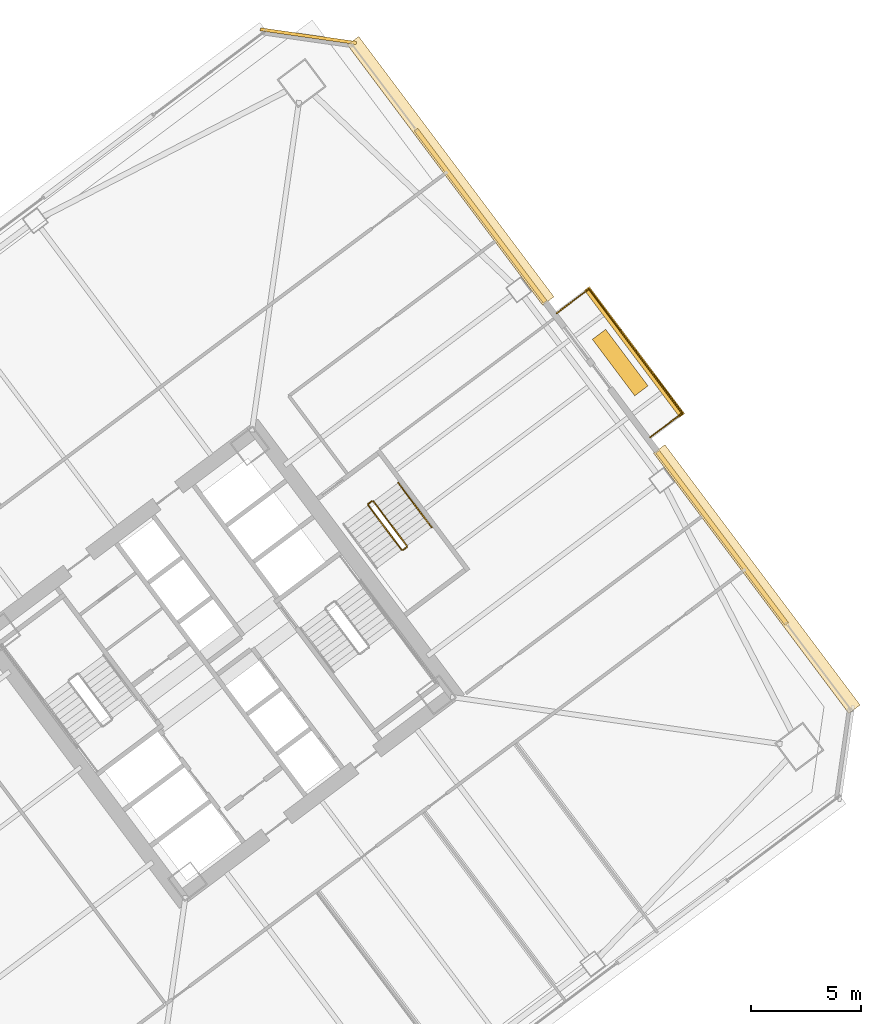
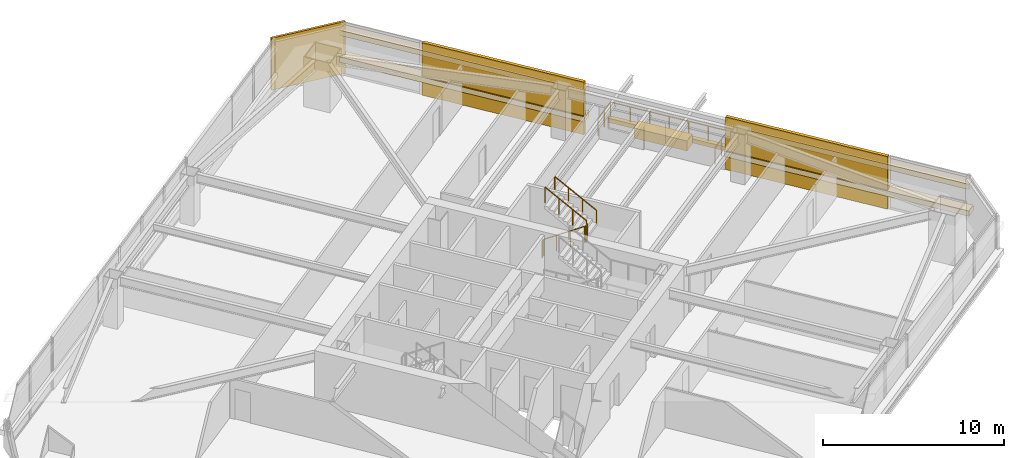
# One storey, part 47 of 47: 9 coverings, 8 railings.
"""IFC4 building model written with IfcOpenShell, lengths in metres."""

from ifc_helpers import new_model, si_unit, direction, frame, origin, origin_2d, place, context, subcontext, project, spatial, rectangle, extrude, material, layer, layer_set, type_object, element, save


model = new_model("IFC4")

# Units and contexts
model_context = context("Model", 3, precision=1e-05, world=origin(), true_north=direction((0.0, 1.0)))
body_context = subcontext(model_context, "Body", "Model", "MODEL_VIEW")
ifc_project = project(units=[si_unit("LENGTHUNIT", "METRE"), si_unit("AREAUNIT", "SQUARE_METRE"), si_unit("VOLUMEUNIT", "CUBIC_METRE"), si_unit("PLANEANGLEUNIT", "RADIAN"), si_unit("MASSUNIT", "GRAM", prefix="KILO")], contexts=[model_context])

# Site, building, storey
site_placement = place(None, origin())
site = spatial("IfcSite", under=ifc_project, at=site_placement, CompositionType="ELEMENT")
building_placement = place(site_placement, origin())
building = spatial("IfcBuilding", under=site, at=building_placement, Name="Tashvorn Skyway Center", CompositionType="ELEMENT")
storey_placement = place(building_placement, frame((0.0, 0.0, 42.35009765625)))
storey = spatial("IfcBuildingStorey", under=building, at=storey_placement, Name="L10", CompositionType="ELEMENT", Elevation=42.35009765625)

# Coverings
ifc_material_1 = material(Name="Precast concrete C40/50", Category="concrete")
ifc_layer_1 = layer(ifc_material_1, 0.199951171875)
ifc_layer_set_1 = layer_set([ifc_layer_1], Name="Precast concrete C40/50")
covering_type_1 = type_object("IfcCoveringType", Name="COV-BRACE-CLAD", PredefinedType="CLADDING", material=ifc_layer_set_1)
for number, where, z_axis, x_axis, name in (
    (1, (125.867919921875, 52.309326171875, 0.0), (0.0, 0.0, 1.0), (0.600000004945, -0.799999996291, 0.0), "Tower 2 L10 East Curtain Wall L Mega-Brace Cladding Band 1"),
    (2, (136.820068359375, 37.70654296875, 0.0), (0.0, 0.0, 1.0), (0.600000004945, -0.799999996291, 0.0), "Tower 2 L10 East Curtain Wall R Mega-Brace Cladding Band 1"),
):
    element("IfcCovering", number, at=place(storey_placement, frame(where, z_axis=z_axis, x_axis=x_axis)), inside=storey, type_object=covering_type_1, Name=name, PredefinedType="CLADDING", context=body_context, shape_type="SweptSolid", body=[
        extrude(rectangle(XDim=9.75341796875, YDim=0.199951171875, at=origin_2d()), origin(), (0.0, 0.0, 1.0), 3.550048828125),
    ])
ifc_material_2 = material(Name="Perforated ceramic-coated bronze aluminium solar screen", Category="aluminium")
ifc_layer_2 = layer(ifc_material_2, 0.85009765625)
ifc_layer_set_2 = layer_set([ifc_layer_2], Name="Perforated ceramic-coated bronze aluminium solar screen")
covering_type_2 = type_object("IfcCoveringType", Name="COV-SOLAR-BAND", PredefinedType="CLADDING", material=ifc_layer_set_2)
for number, where, z_axis, x_axis, name in (
    (3, (124.51708984375, 54.343994140625, 0.919921875), (0.0, 0.0, 1.0), (0.600000004945, -0.799999996291, 0.0), "L10 Perforated Ceramic-Metal Solar Screen Louvre Band East 1"),
    (4, (124.51708984375, 54.343994140625, 2.7197265625), (0.0, 0.0, 1.0), (0.600000004945, -0.799999996291, 0.0), "L10 Perforated Ceramic-Metal Solar Screen Louvre Band East 2"),
    (5, (138.39501953125, 35.840087890625, 0.919921875), (0.0, 0.0, 1.0), (0.600000004945, -0.799999996291, 0.0), "L10 Perforated Ceramic-Metal Solar Screen Louvre Band East 1"),
    (6, (138.39501953125, 35.840087890625, 2.7197265625), (0.0, 0.0, 1.0), (0.600000004945, -0.799999996291, 0.0), "L10 Perforated Ceramic-Metal Solar Screen Louvre Band East 2"),
):
    element("IfcCovering", number, at=place(storey_placement, frame(where, z_axis=z_axis, x_axis=x_axis)), inside=storey, type_object=covering_type_2, Name=name, PredefinedType="CLADDING", context=body_context, shape_type="SweptSolid", body=[
        extrude(rectangle(XDim=14.75, YDim=0.639892578125, at=origin_2d()), origin(), (0.0, 0.0, 1.0), 0.360107421875),
    ])
ifc_layer_3 = layer(ifc_material_1, 0.35009765625)
ifc_layer_set_3 = layer_set([ifc_layer_3], Name="Precast concrete C40/50")
covering_type_3 = type_object("IfcCoveringType", Name="COV-STONE-TRIM", PredefinedType="CLADDING", material=ifc_layer_set_3)
covering_1_placement = place(storey_placement, frame((132.847900390625, 46.135986328125, -0.16015625), z_axis=(0.0, 0.0, 1.0), x_axis=(0.600000004945, -0.799999996291, 0.0)))
element("IfcCovering", 7, at=covering_1_placement, inside=storey, type_object=covering_type_3, Name="Tower 2 L10 Spiral Terrace Terracotta Fascia", PredefinedType="CLADDING", context=body_context, shape_type="SweptSolid", body=[
    extrude(rectangle(XDim=7.199951171875, YDim=0.280029296875, at=origin_2d()), origin(), (0.0, 0.0, 1.0), 0.280029296875),
])
covering_2_placement = place(storey_placement, frame((132.199951171875, 45.64990234375, 0.0), z_axis=(0.0, 0.0, 1.0), x_axis=(0.600000004945, -0.799999996291, 0.0)))
element("IfcCovering", 8, at=covering_2_placement, inside=storey, type_object=covering_type_3, Name="Tower 2 L10 Spiral Terrace Planter", PredefinedType="CLADDING", context=body_context, shape_type="SweptSolid", body=[
    extrude(rectangle(XDim=3.199951171875, YDim=0.75, at=origin_2d()), origin(), (0.0, 0.0, 1.0), 0.679931640625),
])
covering_3_placement = place(storey_placement, frame((118.06396484375, 60.447998046875, 0.02001953125), z_axis=(0.0, 0.0, 1.0), x_axis=(0.989949494535, -0.141421350118, 0.0)))
element("IfcCovering", 9, at=covering_3_placement, inside=storey, type_object=covering_type_3, Name="Tower 2 L10 NE Mojave Limestone Corner Quoin", PredefinedType="CLADDING", context=body_context, shape_type="SweptSolid", body=[
    extrude(rectangle(XDim=4.402587890625, YDim=0.139892578125, at=origin_2d()), origin(), (0.0, 0.0, 1.0), 3.510009765625),
])

# Railings
ifc_material_3 = material(Name="Galvanized steel S355", Category="steel")
railing_type_1 = type_object("IfcRailingType", Name="RAIL-GUARD-1120", PredefinedType="GUARDRAIL", material=ifc_material_3)
railing_1_placement = place(storey_placement, frame((133.552001953125, 42.263916015625, 0.0)))
element("IfcRailing", 10, at=railing_1_placement, inside=storey, type_object=railing_type_1, Name="L10 Tower 2 Terrace Guardrail 01", PredefinedType="GUARDRAIL", context=body_context, shape_type="SweptSolid", body=[
    extrude(rectangle(XDim=0.048095703125, YDim=0.048095703125, at=origin_2d()), frame((0.0, 0.0, 1.09619140625), z_axis=(0.8, 0.6, 0.0), x_axis=(-0.6, 0.8, 0.0)), (0.0, 0.0, 1.0), 1.820068359375),
    extrude(rectangle(XDim=0.0419921875, YDim=0.0419921875, at=origin_2d()), origin(), (0.0, 0.0, 1.0), 1.072021484375),
    extrude(rectangle(XDim=0.0419921875, YDim=0.0419921875, at=origin_2d()), frame((0.72802734375, 0.5458984375, 0.0)), (0.0, 0.0, 1.0), 1.072021484375),
    extrude(rectangle(XDim=0.0419921875, YDim=0.0419921875, at=origin_2d()), frame((1.4560546875, 1.092041015625, 0.0)), (0.0, 0.0, 1.0), 1.072021484375),
])
railing_2_placement = place(storey_placement, frame((135.008056640625, 43.35595703125, 0.0)))
element("IfcRailing", 11, at=railing_2_placement, inside=storey, type_object=railing_type_1, Name="L10 Tower 2 Terrace Guardrail 02", PredefinedType="GUARDRAIL", context=body_context, shape_type="SweptSolid", body=[
    extrude(rectangle(XDim=0.048095703125, YDim=0.048095703125, at=origin_2d()), frame((0.0, 0.0, 1.09619140625), z_axis=(-0.600005548528, 0.799995838574, 0.0), x_axis=(-0.799995838574, -0.600005548528, 0.0)), (0.0, 0.0, 1.0), 7.0400390625),
    extrude(rectangle(XDim=0.0419921875, YDim=0.0419921875, at=origin_2d()), origin(), (0.0, 0.0, 1.0), 1.072021484375),
    extrude(rectangle(XDim=0.0419921875, YDim=0.0419921875, at=origin_2d()), frame((-0.7041015625, 0.938720703125, 0.0)), (0.0, 0.0, 1.0), 1.072021484375),
    extrude(rectangle(XDim=0.0419921875, YDim=0.0419921875, at=origin_2d()), frame((-1.407958984375, 1.87744140625, 0.0)), (0.0, 0.0, 1.0), 1.072021484375),
    extrude(rectangle(XDim=0.0419921875, YDim=0.0419921875, at=origin_2d()), frame((-2.112060546875, 2.81591796875, 0.0)), (0.0, 0.0, 1.0), 1.072021484375),
    extrude(rectangle(XDim=0.0419921875, YDim=0.0419921875, at=origin_2d()), frame((-2.816162109375, 3.754638671875, 0.0)), (0.0, 0.0, 1.0), 1.072021484375),
    extrude(rectangle(XDim=0.0419921875, YDim=0.0419921875, at=origin_2d()), frame((-3.52001953125, 4.693359375, 0.0)), (0.0, 0.0, 1.0), 1.072021484375),
    extrude(rectangle(XDim=0.0419921875, YDim=0.0419921875, at=origin_2d()), frame((-4.22412109375, 5.632080078125, 0.0)), (0.0, 0.0, 1.0), 1.072021484375),
])
railing_3_placement = place(storey_placement, frame((130.783935546875, 48.988037109375, 0.0)))
element("IfcRailing", 12, at=railing_3_placement, inside=storey, type_object=railing_type_1, Name="L10 Tower 2 Terrace Guardrail 03", PredefinedType="GUARDRAIL", context=body_context, shape_type="SweptSolid", body=[
    extrude(rectangle(XDim=0.048095703125, YDim=0.048095703125, at=origin_2d()), frame((0.0, 0.0, 1.09619140625), z_axis=(-0.8, -0.6, 0.0), x_axis=(0.6, -0.8, 0.0)), (0.0, 0.0, 1.0), 1.820068359375),
    extrude(rectangle(XDim=0.0419921875, YDim=0.0419921875, at=origin_2d()), origin(), (0.0, 0.0, 1.0), 1.072021484375),
    extrude(rectangle(XDim=0.0419921875, YDim=0.0419921875, at=origin_2d()), frame((-0.72802734375, -0.5458984375, 0.0)), (0.0, 0.0, 1.0), 1.072021484375),
    extrude(rectangle(XDim=0.0419921875, YDim=0.0419921875, at=origin_2d()), frame((-1.4560546875, -1.092041015625, 0.0)), (0.0, 0.0, 1.0), 1.072021484375),
])
ifc_material_4 = material(Name="Brushed stainless steel 316", Category="steel")
railing_type_2 = type_object("IfcRailingType", Name="RAIL-HAND-920", PredefinedType="HANDRAIL", material=ifc_material_4)
railing_4_placement = place(storey_placement, frame((123.64794921875, 38.18603515625, 1.952392578125)))
element("IfcRailing", 13, at=railing_4_placement, inside=storey, type_object=railing_type_2, Name="L10 ST-T2-3 stair handrail 2", PredefinedType="HANDRAIL", context=body_context, shape_type="SweptSolid", body=[
    extrude(rectangle(XDim=0.048095703125, YDim=0.048095703125, at=origin_2d()), frame((0.0, 0.0, 0.8759765625), z_axis=(-0.506768818287, 0.675664481285, 0.535409071218), x_axis=(-0.79998837352, -0.60001550166, 0.0)), (0.0, 0.0, 1.0), 2.983642578125),
    extrude(rectangle(XDim=0.0419921875, YDim=0.0419921875, at=origin_2d()), origin(), (0.0, 0.0, 1.0), 0.851806640625),
    extrude(rectangle(XDim=0.0419921875, YDim=0.0419921875, at=origin_2d()), frame((-0.50390625, 0.671875, 0.532470703125)), (0.0, 0.0, 1.0), 0.851806640625),
    extrude(rectangle(XDim=0.0419921875, YDim=0.0419921875, at=origin_2d()), frame((-1.008056640625, 1.343994140625, 1.06494140625)), (0.0, 0.0, 1.0), 0.851806640625),
    extrude(rectangle(XDim=0.0419921875, YDim=0.0419921875, at=origin_2d()), frame((-1.511962890625, 2.015869140625, 1.597412109375)), (0.0, 0.0, 1.0), 0.851806640625),
])
ifc_material_5 = material(Name="Painted galvanized steel S355", Category="steel")
railing_type_3 = type_object("IfcRailingType", Name="RAIL-STGUARD-1100", PredefinedType="GUARDRAIL", material=ifc_material_5)
railing_5_placement = place(storey_placement, frame((120.77587890625, 39.181884765625, 0.177490234375)))
element("IfcRailing", 14, at=railing_5_placement, inside=storey, type_object=railing_type_3, Name="L10 ST-T2-3 stair guard 1", PredefinedType="GUARDRAIL", context=body_context, shape_type="SweptSolid", body=[
    extrude(rectangle(XDim=0.048095703125, YDim=0.048095703125, at=origin_2d()), frame((0.0, 0.0, 1.076171875), z_axis=(0.506829628838, -0.67563646195, 0.535386868177), x_axis=(0.799941867976, 0.600077501544, 0.0)), (0.0, 0.0, 1.0), 2.983642578125),
    extrude(rectangle(XDim=0.0419921875, YDim=0.0419921875, at=origin_2d()), origin(), (0.0, 0.0, 1.0), 1.052001953125),
    extrude(rectangle(XDim=0.0419921875, YDim=0.0419921875, at=origin_2d()), frame((0.504150390625, -0.671875, 0.532470703125)), (0.0, 0.0, 1.0), 1.052001953125),
    extrude(rectangle(XDim=0.0419921875, YDim=0.0419921875, at=origin_2d()), frame((1.008056640625, -1.343994140625, 1.06494140625)), (0.0, 0.0, 1.0), 1.052001953125),
    extrude(rectangle(XDim=0.0419921875, YDim=0.0419921875, at=origin_2d()), frame((1.51220703125, -2.015869140625, 1.597412109375)), (0.0, 0.0, 1.0), 1.052001953125),
])
railing_6_placement = place(storey_placement, frame((122.35791015625, 37.156005859375, 1.77490234375)))
element("IfcRailing", 15, at=railing_6_placement, inside=storey, type_object=railing_type_3, Name="L10 ST-T2-3 stair guard 2", PredefinedType="GUARDRAIL", context=body_context, shape_type="SweptSolid", body=[
    extrude(rectangle(XDim=0.048095703125, YDim=0.048095703125, at=origin_2d()), frame((0.0, 0.0, 1.076171875), z_axis=(0.800585412921, 0.599218655098, 0.0), x_axis=(-0.599218655098, 0.800585412921, 0.0)), (0.0, 0.0, 1.0), 0.199951171875),
    extrude(rectangle(XDim=0.0419921875, YDim=0.0419921875, at=origin_2d()), origin(), (0.0, 0.0, 1.0), 1.052001953125),
    extrude(rectangle(XDim=0.0419921875, YDim=0.0419921875, at=origin_2d()), frame((0.16015625, 0.119873046875, 0.0)), (0.0, 0.0, 1.0), 1.052001953125),
])
railing_7_placement = place(storey_placement, frame((122.528076171875, 37.345947265625, 1.952392578125)))
element("IfcRailing", 16, at=railing_7_placement, inside=storey, type_object=railing_type_3, Name="L10 ST-T2-3 stair guard 3", PredefinedType="GUARDRAIL", context=body_context, shape_type="SweptSolid", body=[
    extrude(rectangle(XDim=0.048095703125, YDim=0.048095703125, at=origin_2d()), frame((0.0, 0.0, 1.076171875), z_axis=(-0.506740800098, 0.675708949977, 0.535379469569), x_axis=(-0.800023250257, -0.599968998406, 0.0)), (0.0, 0.0, 1.0), 2.983642578125),
    extrude(rectangle(XDim=0.0419921875, YDim=0.0419921875, at=origin_2d()), origin(), (0.0, 0.0, 1.0), 1.052001953125),
    extrude(rectangle(XDim=0.0419921875, YDim=0.0419921875, at=origin_2d()), frame((-0.50390625, 0.672119140625, 0.532470703125)), (0.0, 0.0, 1.0), 1.052001953125),
    extrude(rectangle(XDim=0.0419921875, YDim=0.0419921875, at=origin_2d()), frame((-1.008056640625, 1.343994140625, 1.06494140625)), (0.0, 0.0, 1.0), 1.052001953125),
    extrude(rectangle(XDim=0.0419921875, YDim=0.0419921875, at=origin_2d()), frame((-1.511962890625, 2.01611328125, 1.597412109375)), (0.0, 0.0, 1.0), 1.052001953125),
])
railing_8_placement = place(storey_placement, frame((120.785888671875, 39.251953125, 0.0)))
element("IfcRailing", 17, at=railing_8_placement, inside=storey, type_object=railing_type_3, Name="L10 ST-T2-3 stair guard 4", PredefinedType="GUARDRAIL", context=body_context, shape_type="SweptSolid", body=[
    extrude(rectangle(XDim=0.048095703125, YDim=0.048095703125, at=origin_2d()), frame((0.0, 0.0, 1.076171875), z_axis=(0.8, 0.6, 0.0), x_axis=(-0.6, 0.8, 0.0)), (0.0, 0.0, 1.0), 0.2001953125),
    extrude(rectangle(XDim=0.0419921875, YDim=0.0419921875, at=origin_2d()), origin(), (0.0, 0.0, 1.0), 1.052001953125),
    extrude(rectangle(XDim=0.0419921875, YDim=0.0419921875, at=origin_2d()), frame((0.16015625, 0.1201171875, 0.0)), (0.0, 0.0, 1.0), 1.052001953125),
])

save(model, "model.ifc")
